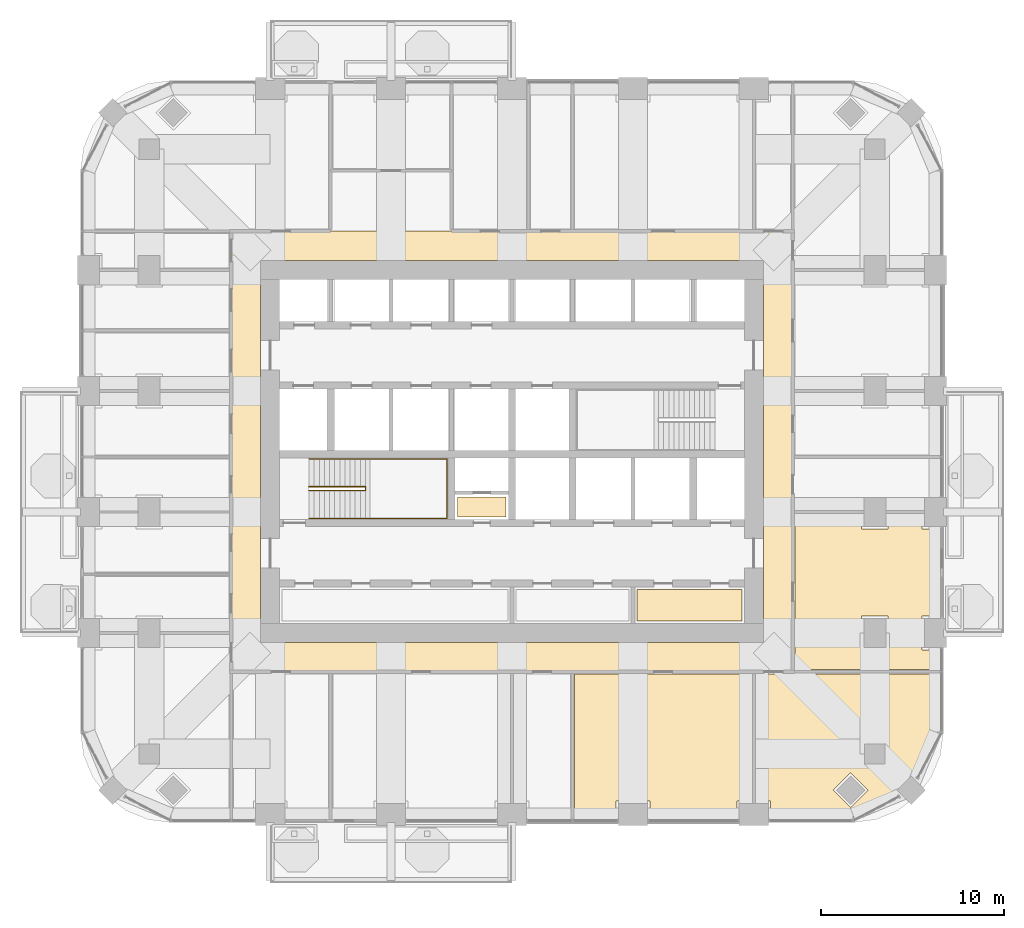
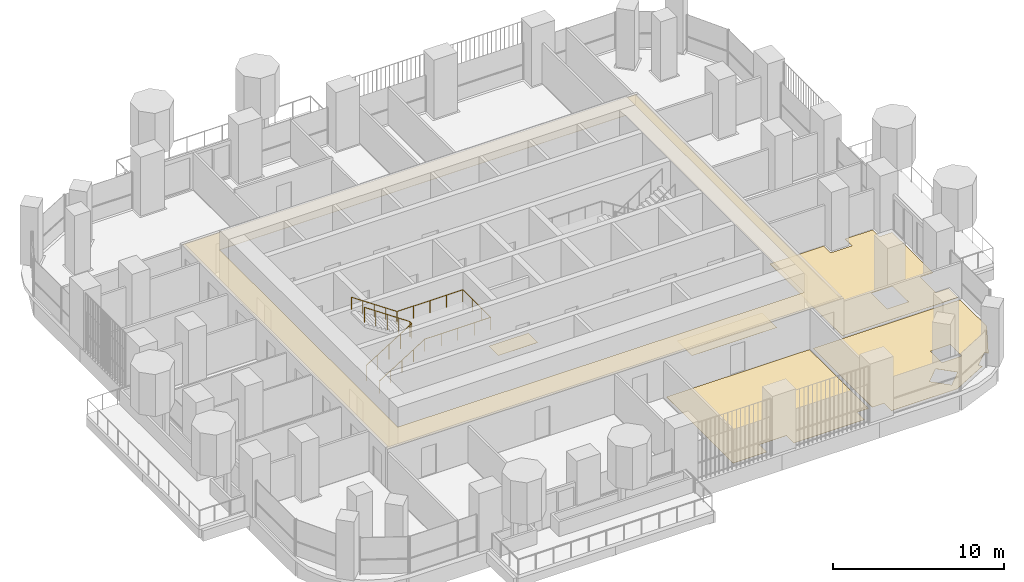
# One storey, part 17 of 20: 6 coverings, 2 railings.
"""IFC4 building model written with IfcOpenShell, lengths in metres."""

from ifc_helpers import new_model, si_unit, direction, frame, origin, place, context, subcontext, project, spatial, polyline, outline, extrude, material, layer, layer_set, type_object, element, save


model = new_model("IFC4")

# Units and contexts
model_context = context("Model", 3, precision=1e-05, world=origin(), true_north=direction((0.0, 1.0)))
body_context = subcontext(model_context, "Body", "Model", "MODEL_VIEW")
ifc_project = project(units=[si_unit("LENGTHUNIT", "METRE"), si_unit("AREAUNIT", "SQUARE_METRE"), si_unit("VOLUMEUNIT", "CUBIC_METRE"), si_unit("PLANEANGLEUNIT", "RADIAN"), si_unit("MASSUNIT", "GRAM", prefix="KILO")], contexts=[model_context])

# Site, building, storey
site_placement = place(None, origin())
site = spatial("IfcSite", under=ifc_project, at=site_placement, CompositionType="ELEMENT")
building_placement = place(site_placement, origin())
building = spatial("IfcBuilding", under=site, at=building_placement, Name="Cobogo Forest Laboratory Tower", CompositionType="ELEMENT")
storey_placement = place(building_placement, frame((0.0, 0.0, 210.300048828125)))
storey = spatial("IfcBuildingStorey", under=building, at=storey_placement, Name="L48", CompositionType="ELEMENT", Elevation=210.300048828125)

# Coverings
ifc_material_1 = material(Name="Mineral fibre ceiling tile", Category="ceiling")
ifc_layer_1 = layer(ifc_material_1, 0.02001953125)
ifc_layer_set_1 = layer_set([ifc_layer_1], Name="CL1 suspended ceiling")
covering_type_1 = type_object("IfcCoveringType", Name="CL1 suspended ceiling", PredefinedType="CEILING", material=ifc_layer_set_1)
covering_1_placement = place(storey_placement, frame((0.0, 0.0, 2.800048828125)))
element("IfcCovering", 1, at=covering_1_placement, inside=storey, type_object=covering_type_1, Name="Corridor ceiling L48", PredefinedType="CEILING", context=body_context, shape_type="SweptSolid", body=[
    extrude(outline(polyline([(11.074951171875, 11.074951171875), (11.074951171875, 35.125), (41.72509765625, 35.125), (41.72509765625, 11.074951171875), (11.074951171875, 11.074951171875)]), holes=[polyline([(40.125, 33.52490234375), (12.675048828125, 33.52490234375), (12.675048828125, 12.675048828125), (40.125, 12.675048828125), (40.125, 33.52490234375)])]), origin(), (0.0, 0.0, 1.0), 0.02001953125),
])
ifc_material_2 = material(Name="Carpet tile on raised access floor", Category="flooring")
ifc_layer_2 = layer(ifc_material_2, 0.008056640625)
ifc_layer_set_2 = layer_set([ifc_layer_2], Name="CT1 carpet tile floor 8")
covering_type_2 = type_object("IfcCoveringType", Name="CT1 carpet tile floor 8", PredefinedType="FLOORING", material=ifc_layer_set_2)
covering_2_placement = place(storey_placement, origin())
element("IfcCovering", 2, at=covering_2_placement, inside=storey, type_object=covering_type_2, Name="Carpet floor L48-04", PredefinedType="FLOORING", context=body_context, shape_type="SweptSolid", body=[
    extrude(outline(polyline([(39.47998046875, 10.955078125), (39.47998046875, 4.02001953125), (38.679931640625, 4.02001953125), (38.679931640625, 3.14990234375), (33.919921875, 3.14990234375), (33.919921875, 4.02001953125), (32.080078125, 4.02001953125), (32.080078125, 3.14990234375), (29.820068359375, 3.14990234375), (29.820068359375, 10.955078125), (39.47998046875, 10.955078125)])), origin(), (0.0, 0.0, 1.0), 0.008056640625),
])
covering_3_placement = place(storey_placement, origin())
element("IfcCovering", 3, at=covering_3_placement, inside=storey, type_object=covering_type_2, Name="Carpet floor L48-05", PredefinedType="FLOORING", context=body_context, shape_type="SweptSolid", body=[
    extrude(outline(polyline([(49.64990234375, 10.955078125), (49.64990234375, 7.84912109375), (48.359619140625, 5.387939453125), (48.181884765625, 5.5654296875), (47.234375, 4.617919921875), (47.412109375, 4.440185546875), (44.95068359375, 3.14990234375), (40.52001953125, 3.14990234375), (40.52001953125, 4.02001953125), (39.719970703125, 4.02001953125), (39.719970703125, 10.955078125), (49.64990234375, 10.955078125)]), holes=[polyline([(45.530029296875, 5.929931640625), (46.8701171875, 5.929931640625), (46.8701171875, 7.27001953125), (45.530029296875, 7.27001953125), (45.530029296875, 5.929931640625)]), polyline([(44.882080078125, 3.67041015625), (45.82958984375, 4.617919921875), (44.882080078125, 5.5654296875), (43.9345703125, 4.617919921875), (44.882080078125, 3.67041015625)])]), origin(), (0.0, 0.0, 1.0), 0.008056640625),
])
covering_4_placement = place(storey_placement, origin())
element("IfcCovering", 4, at=covering_4_placement, inside=storey, type_object=covering_type_2, Name="Carpet floor L48-06", PredefinedType="FLOORING", context=body_context, shape_type="SweptSolid", body=[
    extrude(outline(polyline([(41.844970703125, 19.679931640625), (45.47998046875, 19.679931640625), (45.47998046875, 18.8798828125), (46.919921875, 18.8798828125), (46.919921875, 19.679931640625), (48.780029296875, 19.679931640625), (48.780029296875, 18.8798828125), (49.64990234375, 18.8798828125), (49.64990234375, 14.1201171875), (48.780029296875, 14.1201171875), (48.780029296875, 12.280029296875), (49.64990234375, 12.280029296875), (49.64990234375, 11.195068359375), (41.844970703125, 11.195068359375), (41.844970703125, 19.679931640625)]), holes=[polyline([(46.919921875, 12.280029296875), (46.919921875, 14.1201171875), (45.47998046875, 14.1201171875), (45.47998046875, 12.280029296875), (46.919921875, 12.280029296875)])]), origin(), (0.0, 0.0, 1.0), 0.008056640625),
])
covering_5_placement = place(storey_placement, origin())
element("IfcCovering", 5, at=covering_5_placement, inside=storey, type_object=covering_type_2, Name="Carpet floor L48-30", PredefinedType="FLOORING", context=body_context, shape_type="SweptSolid", body=[
    extrude(outline(polyline([(26.080078125, 19.52001953125), (23.419921875, 19.52001953125), (23.419921875, 20.6298828125), (26.080078125, 20.6298828125), (26.080078125, 19.52001953125)])), origin(), (0.0, 0.0, 1.0), 0.008056640625),
])

# Railings
ifc_material_3 = material(Name="Steel balustrade", Category="steel")
railing_type_1 = type_object("IfcRailingType", Name="GR stair guard 1100", PredefinedType="GUARDRAIL", material=ifc_material_3)
railing_1_placement = place(storey_placement, frame((15.324951171875, 20.969970703125, 0.175048828125)))
element("IfcRailing", 6, at=railing_1_placement, inside=storey, type_object=railing_type_1, Name="Stair guard ST1 L48", PredefinedType="GUARDRAIL", context=body_context, shape_type="SweptSolid", body=[
    extrude(outline(polyline([(0.022216796875, 0.00927734375), (0.00927734375, 0.022216796875), (-0.00927734375, 0.022216796875), (-0.022216796875, 0.00927734375), (-0.022216796875, -0.00927734375), (-0.00927734375, -0.022216796875), (0.00927734375, -0.022216796875), (0.022216796875, -0.00927734375), (0.022216796875, 0.00927734375)])), frame((0.0, 0.0, 1.077880859375), z_axis=(0.848028513186, 0.0, 0.529950602248), x_axis=(0.0, 1.0, 0.0)), (0.0, 0.0, 1.0), 3.632080078125),
    extrude(outline(polyline([(0.022216796875, 0.00927734375), (0.00927734375, 0.022216796875), (-0.00927734375, 0.022216796875), (-0.022216796875, 0.00927734375), (-0.022216796875, -0.00927734375), (-0.00927734375, -0.022216796875), (0.00927734375, -0.022216796875), (0.022216796875, -0.00927734375), (0.022216796875, 0.00927734375)])), frame((3.080078125, 0.0, 3.002685546875), z_axis=(0.0, 1.0, 0.0), x_axis=(-1.0, 0.0, 0.0)), (0.0, 0.0, 1.0), 0.2099609375),
    extrude(outline(polyline([(0.022216796875, 0.00927734375), (0.00927734375, 0.022216796875), (-0.00927734375, 0.022216796875), (-0.022216796875, 0.00927734375), (-0.022216796875, -0.00927734375), (-0.00927734375, -0.022216796875), (0.00927734375, -0.022216796875), (0.022216796875, -0.00927734375), (0.022216796875, 0.00927734375)])), frame((3.080078125, 0.2099609375, 3.002685546875), z_axis=(-0.826221800596, 0.0, 0.563344953133), x_axis=(0.0, -1.0, 0.0)), (0.0, 0.0, 1.0), 3.72802734375),
    extrude(outline(polyline([(0.019287109375, 0.008056640625), (0.008056640625, 0.019287109375), (-0.008056640625, 0.019287109375), (-0.019287109375, 0.008056640625), (-0.019287109375, -0.008056640625), (-0.008056640625, -0.019287109375), (0.008056640625, -0.019287109375), (0.019287109375, -0.008056640625), (0.019287109375, 0.008056640625)])), origin(), (0.0, 0.0, 1.0), 1.077880859375),
    extrude(outline(polyline([(0.019287109375, 0.008056640625), (0.008056640625, 0.019287109375), (-0.008056640625, 0.019287109375), (-0.019287109375, 0.008056640625), (-0.019287109375, -0.008056640625), (-0.008056640625, -0.019287109375), (0.008056640625, -0.019287109375), (0.019287109375, -0.008056640625), (0.019287109375, 0.008056640625)])), frame((0.77001953125, 0.0, 0.481201171875)), (0.0, 0.0, 1.0), 1.077880859375),
    extrude(outline(polyline([(0.019287109375, 0.008056640625), (0.008056640625, 0.019287109375), (-0.008056640625, 0.019287109375), (-0.019287109375, 0.008056640625), (-0.019287109375, -0.008056640625), (-0.008056640625, -0.019287109375), (0.008056640625, -0.019287109375), (0.019287109375, -0.008056640625), (0.019287109375, 0.008056640625)])), frame((1.5400390625, 0.0, 0.96240234375)), (0.0, 0.0, 1.0), 1.077880859375),
    extrude(outline(polyline([(0.019287109375, 0.008056640625), (0.008056640625, 0.019287109375), (-0.008056640625, 0.019287109375), (-0.019287109375, 0.008056640625), (-0.019287109375, -0.008056640625), (-0.008056640625, -0.019287109375), (0.008056640625, -0.019287109375), (0.019287109375, -0.008056640625), (0.019287109375, 0.008056640625)])), frame((2.31005859375, 0.0, 1.443603515625)), (0.0, 0.0, 1.0), 1.077880859375),
    extrude(outline(polyline([(0.019287109375, 0.008056640625), (0.008056640625, 0.019287109375), (-0.008056640625, 0.019287109375), (-0.019287109375, 0.008056640625), (-0.019287109375, -0.008056640625), (-0.008056640625, -0.019287109375), (0.008056640625, -0.019287109375), (0.019287109375, -0.008056640625), (0.019287109375, 0.008056640625)])), frame((3.080078125, 0.0, 1.9248046875)), (0.0, 0.0, 1.0), 1.077880859375),
    extrude(outline(polyline([(0.019287109375, 0.008056640625), (0.008056640625, 0.019287109375), (-0.008056640625, 0.019287109375), (-0.019287109375, 0.008056640625), (-0.019287109375, -0.008056640625), (-0.008056640625, -0.019287109375), (0.008056640625, -0.019287109375), (0.019287109375, -0.008056640625), (0.019287109375, 0.008056640625)])), frame((3.080078125, 0.2099609375, 1.9248046875)), (0.0, 0.0, 1.0), 1.077880859375),
    extrude(outline(polyline([(0.019287109375, 0.008056640625), (0.008056640625, 0.019287109375), (-0.008056640625, 0.019287109375), (-0.019287109375, 0.008056640625), (-0.019287109375, -0.008056640625), (-0.008056640625, -0.019287109375), (0.008056640625, -0.019287109375), (0.019287109375, -0.008056640625), (0.019287109375, 0.008056640625)])), frame((2.31005859375, 0.2099609375, 2.44970703125)), (0.0, 0.0, 1.0), 1.077880859375),
    extrude(outline(polyline([(0.019287109375, 0.008056640625), (0.008056640625, 0.019287109375), (-0.008056640625, 0.019287109375), (-0.019287109375, 0.008056640625), (-0.019287109375, -0.008056640625), (-0.008056640625, -0.019287109375), (0.008056640625, -0.019287109375), (0.019287109375, -0.008056640625), (0.019287109375, 0.008056640625)])), frame((1.5400390625, 0.2099609375, 2.974853515625)), (0.0, 0.0, 1.0), 1.077880859375),
    extrude(outline(polyline([(0.019287109375, 0.008056640625), (0.008056640625, 0.019287109375), (-0.008056640625, 0.019287109375), (-0.019287109375, 0.008056640625), (-0.019287109375, -0.008056640625), (-0.008056640625, -0.019287109375), (0.008056640625, -0.019287109375), (0.019287109375, -0.008056640625), (0.019287109375, 0.008056640625)])), frame((0.77001953125, 0.2099609375, 3.5)), (0.0, 0.0, 1.0), 1.077880859375),
    extrude(outline(polyline([(0.019287109375, 0.008056640625), (0.008056640625, 0.019287109375), (-0.008056640625, 0.019287109375), (-0.019287109375, 0.008056640625), (-0.019287109375, -0.008056640625), (-0.008056640625, -0.019287109375), (0.008056640625, -0.019287109375), (0.019287109375, -0.008056640625), (0.019287109375, 0.008056640625)])), frame((0.0, 0.2099609375, 4.02490234375)), (0.0, 0.0, 1.0), 1.077880859375),
])
ifc_material_4 = material(Name="Stainless steel handrail", Category="steel")
railing_type_2 = type_object("IfcRailingType", Name="HR handrail 900", PredefinedType="HANDRAIL", material=ifc_material_4)
railing_2_placement = place(storey_placement, frame((15.324951171875, 19.449951171875, 0.175048828125)))
element("IfcRailing", 7, at=railing_2_placement, inside=storey, type_object=railing_type_2, Name="Stair handrail ST1 L48", PredefinedType="HANDRAIL", context=body_context, shape_type="SweptSolid", body=[
    extrude(outline(polyline([(0.022216796875, 0.00927734375), (0.00927734375, 0.022216796875), (-0.00927734375, 0.022216796875), (-0.022216796875, 0.00927734375), (-0.022216796875, -0.00927734375), (-0.00927734375, -0.022216796875), (0.00927734375, -0.022216796875), (0.022216796875, -0.00927734375), (0.022216796875, 0.00927734375)])), frame((0.0, 0.0, 0.877685546875), z_axis=(0.848028513186, 0.0, 0.529950602248), x_axis=(0.0, 1.0, 0.0)), (0.0, 0.0, 1.0), 3.632080078125),
    extrude(outline(polyline([(0.022216796875, 0.00927734375), (0.00927734375, 0.022216796875), (-0.00927734375, 0.022216796875), (-0.022216796875, 0.00927734375), (-0.022216796875, -0.00927734375), (-0.00927734375, -0.022216796875), (0.00927734375, -0.022216796875), (0.022216796875, -0.00927734375), (0.022216796875, 0.00927734375)])), frame((3.080078125, 0.0, 2.802490234375), z_axis=(1.0, 0.0, 0.0), x_axis=(0.0, 1.0, 0.0)), (0.0, 0.0, 1.0), 4.445068359375),
    extrude(outline(polyline([(0.022216796875, 0.00927734375), (0.00927734375, 0.022216796875), (-0.00927734375, 0.022216796875), (-0.022216796875, 0.00927734375), (-0.022216796875, -0.00927734375), (-0.00927734375, -0.022216796875), (0.00927734375, -0.022216796875), (0.022216796875, -0.00927734375), (0.022216796875, 0.00927734375)])), frame((7.525146484375, 0.0, 2.802490234375), z_axis=(0.0, 1.0, 0.0), x_axis=(-1.0, 0.0, 0.0)), (0.0, 0.0, 1.0), 3.25),
    extrude(outline(polyline([(0.022216796875, 0.00927734375), (0.00927734375, 0.022216796875), (-0.00927734375, 0.022216796875), (-0.022216796875, 0.00927734375), (-0.022216796875, -0.00927734375), (-0.00927734375, -0.022216796875), (0.00927734375, -0.022216796875), (0.022216796875, -0.00927734375), (0.022216796875, 0.00927734375)])), frame((7.525146484375, 3.25, 2.802490234375), z_axis=(-1.0, 0.0, 0.0), x_axis=(0.0, -1.0, 0.0)), (0.0, 0.0, 1.0), 4.445068359375),
    extrude(outline(polyline([(0.022216796875, 0.00927734375), (0.00927734375, 0.022216796875), (-0.00927734375, 0.022216796875), (-0.022216796875, 0.00927734375), (-0.022216796875, -0.00927734375), (-0.00927734375, -0.022216796875), (0.00927734375, -0.022216796875), (0.022216796875, -0.00927734375), (0.022216796875, 0.00927734375)])), frame((3.080078125, 3.25, 2.802490234375), z_axis=(-0.826221800596, 0.0, 0.563344953133), x_axis=(0.0, -1.0, 0.0)), (0.0, 0.0, 1.0), 3.72802734375),
    extrude(outline(polyline([(0.019287109375, 0.008056640625), (0.008056640625, 0.019287109375), (-0.008056640625, 0.019287109375), (-0.019287109375, 0.008056640625), (-0.019287109375, -0.008056640625), (-0.008056640625, -0.019287109375), (0.008056640625, -0.019287109375), (0.019287109375, -0.008056640625), (0.019287109375, 0.008056640625)])), origin(), (0.0, 0.0, 1.0), 0.877685546875),
    extrude(outline(polyline([(0.019287109375, 0.008056640625), (0.008056640625, 0.019287109375), (-0.008056640625, 0.019287109375), (-0.019287109375, 0.008056640625), (-0.019287109375, -0.008056640625), (-0.008056640625, -0.019287109375), (0.008056640625, -0.019287109375), (0.019287109375, -0.008056640625), (0.019287109375, 0.008056640625)])), frame((0.77001953125, 0.0, 0.481201171875)), (0.0, 0.0, 1.0), 0.877685546875),
    extrude(outline(polyline([(0.019287109375, 0.008056640625), (0.008056640625, 0.019287109375), (-0.008056640625, 0.019287109375), (-0.019287109375, 0.008056640625), (-0.019287109375, -0.008056640625), (-0.008056640625, -0.019287109375), (0.008056640625, -0.019287109375), (0.019287109375, -0.008056640625), (0.019287109375, 0.008056640625)])), frame((1.5400390625, 0.0, 0.96240234375)), (0.0, 0.0, 1.0), 0.877685546875),
    extrude(outline(polyline([(0.019287109375, 0.008056640625), (0.008056640625, 0.019287109375), (-0.008056640625, 0.019287109375), (-0.019287109375, 0.008056640625), (-0.019287109375, -0.008056640625), (-0.008056640625, -0.019287109375), (0.008056640625, -0.019287109375), (0.019287109375, -0.008056640625), (0.019287109375, 0.008056640625)])), frame((2.31005859375, 0.0, 1.443603515625)), (0.0, 0.0, 1.0), 0.877685546875),
    extrude(outline(polyline([(0.019287109375, 0.008056640625), (0.008056640625, 0.019287109375), (-0.008056640625, 0.019287109375), (-0.019287109375, 0.008056640625), (-0.019287109375, -0.008056640625), (-0.008056640625, -0.019287109375), (0.008056640625, -0.019287109375), (0.019287109375, -0.008056640625), (0.019287109375, 0.008056640625)])), frame((3.080078125, 0.0, 1.9248046875)), (0.0, 0.0, 1.0), 0.877685546875),
    extrude(outline(polyline([(0.019287109375, 0.008056640625), (0.008056640625, 0.019287109375), (-0.008056640625, 0.019287109375), (-0.019287109375, 0.008056640625), (-0.019287109375, -0.008056640625), (-0.008056640625, -0.019287109375), (0.008056640625, -0.019287109375), (0.019287109375, -0.008056640625), (0.019287109375, 0.008056640625)])), frame((4.19140625, 0.0, 1.9248046875)), (0.0, 0.0, 1.0), 0.877685546875),
    extrude(outline(polyline([(0.019287109375, 0.008056640625), (0.008056640625, 0.019287109375), (-0.008056640625, 0.019287109375), (-0.019287109375, 0.008056640625), (-0.019287109375, -0.008056640625), (-0.008056640625, -0.019287109375), (0.008056640625, -0.019287109375), (0.019287109375, -0.008056640625), (0.019287109375, 0.008056640625)])), frame((5.302734375, 0.0, 1.9248046875)), (0.0, 0.0, 1.0), 0.877685546875),
    extrude(outline(polyline([(0.019287109375, 0.008056640625), (0.008056640625, 0.019287109375), (-0.008056640625, 0.019287109375), (-0.019287109375, 0.008056640625), (-0.019287109375, -0.008056640625), (-0.008056640625, -0.019287109375), (0.008056640625, -0.019287109375), (0.019287109375, -0.008056640625), (0.019287109375, 0.008056640625)])), frame((6.413818359375, 0.0, 1.9248046875)), (0.0, 0.0, 1.0), 0.877685546875),
    extrude(outline(polyline([(0.019287109375, 0.008056640625), (0.008056640625, 0.019287109375), (-0.008056640625, 0.019287109375), (-0.019287109375, 0.008056640625), (-0.019287109375, -0.008056640625), (-0.008056640625, -0.019287109375), (0.008056640625, -0.019287109375), (0.019287109375, -0.008056640625), (0.019287109375, 0.008056640625)])), frame((7.525146484375, 0.0, 1.9248046875)), (0.0, 0.0, 1.0), 0.877685546875),
    extrude(outline(polyline([(0.019287109375, 0.008056640625), (0.008056640625, 0.019287109375), (-0.008056640625, 0.019287109375), (-0.019287109375, 0.008056640625), (-0.019287109375, -0.008056640625), (-0.008056640625, -0.019287109375), (0.008056640625, -0.019287109375), (0.019287109375, -0.008056640625), (0.019287109375, 0.008056640625)])), frame((7.525146484375, 1.083251953125, 1.9248046875)), (0.0, 0.0, 1.0), 0.877685546875),
    extrude(outline(polyline([(0.019287109375, 0.008056640625), (0.008056640625, 0.019287109375), (-0.008056640625, 0.019287109375), (-0.019287109375, 0.008056640625), (-0.019287109375, -0.008056640625), (-0.008056640625, -0.019287109375), (0.008056640625, -0.019287109375), (0.019287109375, -0.008056640625), (0.019287109375, 0.008056640625)])), frame((7.525146484375, 2.166748046875, 1.9248046875)), (0.0, 0.0, 1.0), 0.877685546875),
    extrude(outline(polyline([(0.019287109375, 0.008056640625), (0.008056640625, 0.019287109375), (-0.008056640625, 0.019287109375), (-0.019287109375, 0.008056640625), (-0.019287109375, -0.008056640625), (-0.008056640625, -0.019287109375), (0.008056640625, -0.019287109375), (0.019287109375, -0.008056640625), (0.019287109375, 0.008056640625)])), frame((7.525146484375, 3.25, 1.9248046875)), (0.0, 0.0, 1.0), 0.877685546875),
    extrude(outline(polyline([(0.019287109375, 0.008056640625), (0.008056640625, 0.019287109375), (-0.008056640625, 0.019287109375), (-0.019287109375, 0.008056640625), (-0.019287109375, -0.008056640625), (-0.008056640625, -0.019287109375), (0.008056640625, -0.019287109375), (0.019287109375, -0.008056640625), (0.019287109375, 0.008056640625)])), frame((6.413818359375, 3.25, 1.9248046875)), (0.0, 0.0, 1.0), 0.877685546875),
    extrude(outline(polyline([(0.019287109375, 0.008056640625), (0.008056640625, 0.019287109375), (-0.008056640625, 0.019287109375), (-0.019287109375, 0.008056640625), (-0.019287109375, -0.008056640625), (-0.008056640625, -0.019287109375), (0.008056640625, -0.019287109375), (0.019287109375, -0.008056640625), (0.019287109375, 0.008056640625)])), frame((5.302734375, 3.25, 1.9248046875)), (0.0, 0.0, 1.0), 0.877685546875),
    extrude(outline(polyline([(0.019287109375, 0.008056640625), (0.008056640625, 0.019287109375), (-0.008056640625, 0.019287109375), (-0.019287109375, 0.008056640625), (-0.019287109375, -0.008056640625), (-0.008056640625, -0.019287109375), (0.008056640625, -0.019287109375), (0.019287109375, -0.008056640625), (0.019287109375, 0.008056640625)])), frame((4.19140625, 3.25, 1.9248046875)), (0.0, 0.0, 1.0), 0.877685546875),
    extrude(outline(polyline([(0.019287109375, 0.008056640625), (0.008056640625, 0.019287109375), (-0.008056640625, 0.019287109375), (-0.019287109375, 0.008056640625), (-0.019287109375, -0.008056640625), (-0.008056640625, -0.019287109375), (0.008056640625, -0.019287109375), (0.019287109375, -0.008056640625), (0.019287109375, 0.008056640625)])), frame((3.080078125, 3.25, 1.9248046875)), (0.0, 0.0, 1.0), 0.877685546875),
    extrude(outline(polyline([(0.019287109375, 0.008056640625), (0.008056640625, 0.019287109375), (-0.008056640625, 0.019287109375), (-0.019287109375, 0.008056640625), (-0.019287109375, -0.008056640625), (-0.008056640625, -0.019287109375), (0.008056640625, -0.019287109375), (0.019287109375, -0.008056640625), (0.019287109375, 0.008056640625)])), frame((2.31005859375, 3.25, 2.44970703125)), (0.0, 0.0, 1.0), 0.877685546875),
    extrude(outline(polyline([(0.019287109375, 0.008056640625), (0.008056640625, 0.019287109375), (-0.008056640625, 0.019287109375), (-0.019287109375, 0.008056640625), (-0.019287109375, -0.008056640625), (-0.008056640625, -0.019287109375), (0.008056640625, -0.019287109375), (0.019287109375, -0.008056640625), (0.019287109375, 0.008056640625)])), frame((1.5400390625, 3.25, 2.974853515625)), (0.0, 0.0, 1.0), 0.877685546875),
    extrude(outline(polyline([(0.019287109375, 0.008056640625), (0.008056640625, 0.019287109375), (-0.008056640625, 0.019287109375), (-0.019287109375, 0.008056640625), (-0.019287109375, -0.008056640625), (-0.008056640625, -0.019287109375), (0.008056640625, -0.019287109375), (0.019287109375, -0.008056640625), (0.019287109375, 0.008056640625)])), frame((0.77001953125, 3.25, 3.5)), (0.0, 0.0, 1.0), 0.877685546875),
    extrude(outline(polyline([(0.019287109375, 0.008056640625), (0.008056640625, 0.019287109375), (-0.008056640625, 0.019287109375), (-0.019287109375, 0.008056640625), (-0.019287109375, -0.008056640625), (-0.008056640625, -0.019287109375), (0.008056640625, -0.019287109375), (0.019287109375, -0.008056640625), (0.019287109375, 0.008056640625)])), frame((0.0, 3.25, 4.02490234375)), (0.0, 0.0, 1.0), 0.877685546875),
])

# Covering
ifc_material_5 = material(Name="Ceramic floor tile", Category="flooring")
ifc_layer_3 = layer(ifc_material_5, 0.010009765625)
ifc_layer_set_3 = layer_set([ifc_layer_3], Name="TF1 ceramic tile floor 10")
covering_type_3 = type_object("IfcCoveringType", Name="TF1 ceramic tile floor 10", PredefinedType="FLOORING", material=ifc_layer_set_3)
covering_6_placement = place(storey_placement, origin())
element("IfcCovering", 8, at=covering_6_placement, inside=storey, type_object=covering_type_3, Name="Tile floor L48-35", PredefinedType="FLOORING", context=body_context, shape_type="SweptSolid", body=[
    extrude(outline(polyline([(38.955078125, 13.844970703125), (33.219970703125, 13.844970703125), (33.219970703125, 15.580078125), (38.955078125, 15.580078125), (38.955078125, 13.844970703125)])), origin(), (0.0, 0.0, 1.0), 0.010009765625),
])

save(model, "model.ifc")
